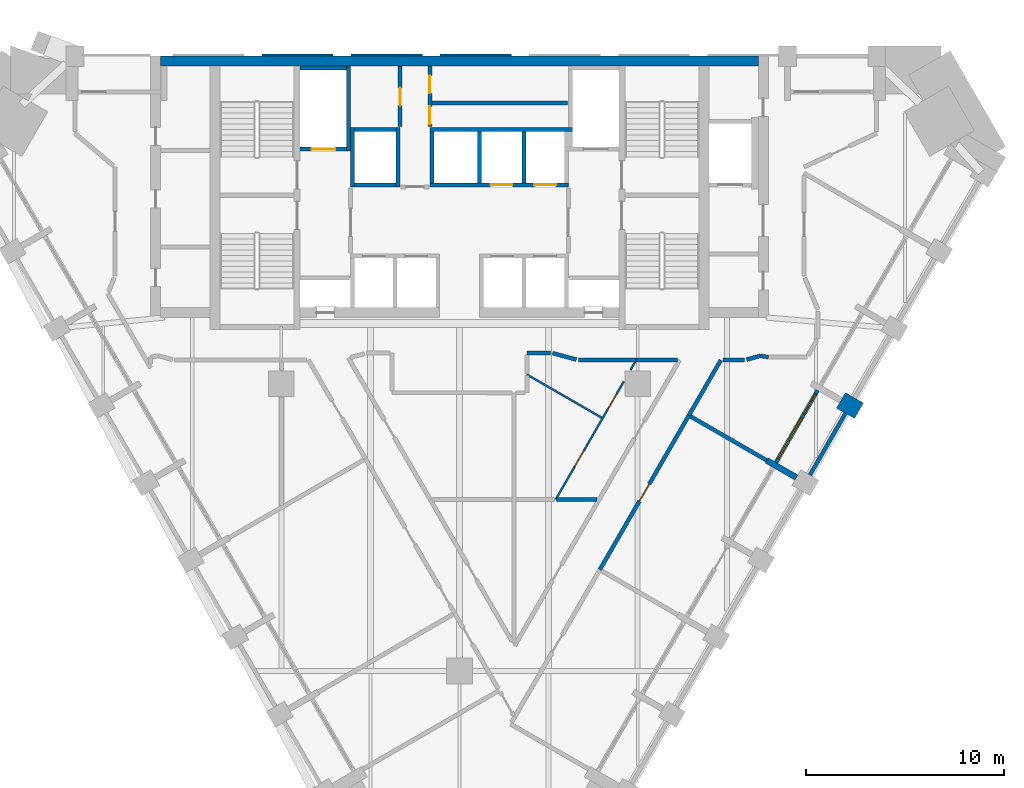
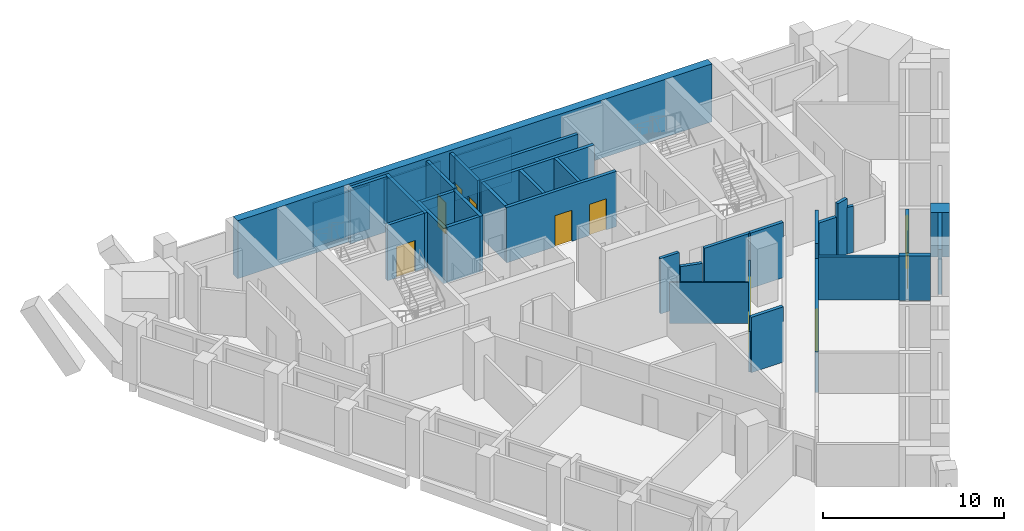
# One storey, part 6 of 10: 37 walls, 10 doors, 1 window, 11 openings.
"""IFC4 building model written with IfcOpenShell, lengths in metres."""

from ifc_helpers import new_model, si_unit, direction, frame, frame_2d, origin, place, context, subcontext, project, spatial, polyline, rectangle, outline, extrude, material, layer, layer_set, type_object, element, fill, save


model = new_model("IFC4")

# Units and contexts
model_context = context("Model", 3, precision=1e-05, world=origin(), true_north=direction((0.0, 1.0)))
body_context = subcontext(model_context, "Body", "Model", "MODEL_VIEW")
ifc_project = project(units=[si_unit("LENGTHUNIT", "METRE"), si_unit("AREAUNIT", "SQUARE_METRE"), si_unit("VOLUMEUNIT", "CUBIC_METRE"), si_unit("PLANEANGLEUNIT", "RADIAN"), si_unit("MASSUNIT", "GRAM", prefix="KILO")], contexts=[model_context])

# Site, building, storey
site_placement = place(None, origin())
site = spatial("IfcSite", under=ifc_project, at=site_placement, CompositionType="ELEMENT")
building_placement = place(site_placement, origin())
building = spatial("IfcBuilding", under=site, at=building_placement, Name="Calabash Gate Tower", CompositionType="ELEMENT")
storey_placement = place(building_placement, frame((0.0, 0.0, 183.60009765625)))
storey = spatial("IfcBuildingStorey", under=building, at=storey_placement, Name="L43", CompositionType="ELEMENT", Elevation=183.60009765625)

# Walls
ifc_material_1 = material(Name="Terracotta brick masonry, exposed face", Category="masonry")
ifc_layer_1 = layer(ifc_material_1, 1.050048828125)
ifc_layer_set_1 = layer_set([ifc_layer_1], Name="Brick end wall 1050")
wall_type_1 = type_object("IfcWallType", Name="Brick end wall 1050", PredefinedType="SOLIDWALL", material=ifc_layer_set_1)
wall_1_placement = place(storey_placement, frame((19.26708984375, 1.665771484375, 0.0), z_axis=(0.0, 0.0, 1.0), x_axis=(0.866030680601, -0.499990860175, 0.0)))
element("IfcWall", 1, at=wall_1_placement, inside=storey, type_object=wall_type_1, Name="Brick pier S12 SE4.5", PredefinedType="SOLIDWALL", context=body_context, shape_type="SweptSolid", body=[
    extrude(rectangle(XDim=1.0498046875, YDim=0.89990234375, at=frame_2d((0.52490234375, 0.0))), origin(), (0.0, 0.0, 1.0), 3.0),
])
ifc_material_2 = material(Name="Terracotta brick masonry, exposed face", Category="masonry")
ifc_layer_2 = layer(ifc_material_2, 0.300048828125)
ifc_layer_set_2 = layer_set([ifc_layer_2], Name="Brick loggia cheek wall 300")
wall_type_2 = type_object("IfcWallType", Name="Brick loggia cheek wall 300", PredefinedType="SOLIDWALL", material=ifc_layer_set_2)
wall_2_placement = place(storey_placement, frame((15.523193359375, -1.368896484375, 0.0), z_axis=(0.0, 0.0, 1.0), x_axis=(0.866074815912, -0.499914405916, 0.0)))
element("IfcWall", 2, at=wall_2_placement, inside=storey, type_object=wall_type_2, Name="Loggia cheek S12 SE4.4", PredefinedType="SOLIDWALL", context=body_context, shape_type="SweptSolid", body=[
    extrude(rectangle(XDim=1.724853515625, YDim=0.300048828125, at=frame_2d((0.8623046875, 0.0))), origin(), (0.0, 0.0, 1.0), 3.0),
])
ifc_material_3 = material(Name="Concrete C70/85", Category="concrete")
ifc_layer_3 = layer(ifc_material_3, 0.5)
ifc_layer_set_3 = layer_set([ifc_layer_3], Name="Core wall 500 Concrete C70/85")
wall_type_3 = type_object("IfcWallType", Name="Core wall 500 Concrete C70/85", PredefinedType="SHEAR", material=ifc_layer_set_3)
wall_3_placement = place(storey_placement, frame((-15.10009765625, 18.802490234375, 0.0), z_axis=(0.0, 0.0, 1.0), x_axis=(1.0, 0.0, 0.0)))
element("IfcWall", 3, at=wall_3_placement, inside=storey, type_object=wall_type_3, Name="Core wall Z3-N L43", PredefinedType="SHEAR", context=body_context, shape_type="SweptSolid", body=[
    extrude(rectangle(XDim=30.2001953125, YDim=0.5, at=frame_2d((15.10009765625, 0.0))), origin(), (0.0, 0.0, 1.0), 3.89990234375),
])

# Wall, openings, doors
ifc_material_4 = material(Name="Gypsum board on steel studs, mineral wool", Category="steel")
ifc_layer_4 = layer(ifc_material_4, 0.10009765625)
ifc_layer_set_4 = layer_set([ifc_layer_4], Name="Partition 100 gypsum board")
wall_type_4 = type_object("IfcWallType", Name="Partition 100 gypsum board", PredefinedType="PARTITIONING", material=ifc_layer_set_4)
wall_4_placement = place(storey_placement, frame((4.85693359375, -3.339599609375, 0.0), z_axis=(0.0, 0.0, 1.0), x_axis=(0.499969101261, 0.866043242445, 0.0)))
wall_4 = element("IfcWall", 4, at=wall_4_placement, inside=storey, type_object=wall_type_4, Name="Partition", PredefinedType="PARTITIONING", context=body_context, shape_type="SweptSolid", body=[
    extrude(rectangle(XDim=6.88330078125, YDim=0.10009765625, at=frame_2d((3.441650390625, 0.0))), origin(), (0.0, 0.0, 1.0), 2.74169921875),
])
opening_1_placement = place(wall_4_placement, frame((1.91943359375, 0.0, 0.0)))
opening_1 = element("IfcOpeningElement", 5, at=opening_1_placement, cuts=wall_4, Name="Opening 42-44-015", PredefinedType="OPENING", context=body_context, shape_type="SweptSolid", body=[
    extrude(rectangle(XDim=0.89990234375, YDim=2.10009765625, at=frame_2d((0.449951171875, 1.050048828125))), frame((0.0, 0.06005859375, 0.0), z_axis=(0.0, -1.0, 0.0), x_axis=(1.0, 0.0, 0.0)), (0.0, 0.0, 1.0), 0.1201171875),
])
opening_2_placement = place(wall_4_placement, frame((5.283935546875, 0.0, 0.0)))
opening_2 = element("IfcOpeningElement", 6, at=opening_2_placement, cuts=wall_4, Name="Opening 42-44-016", PredefinedType="OPENING", context=body_context, shape_type="SweptSolid", body=[
    extrude(rectangle(XDim=0.89990234375, YDim=2.10009765625, at=frame_2d((0.449951171875, 1.050048828125))), frame((0.0, 0.06005859375, 0.0), z_axis=(0.0, -1.0, 0.0), x_axis=(1.0, 0.0, 0.0)), (0.0, 0.0, 1.0), 0.1201171875),
])
ifc_material_5 = material(Name="Painted timber door", Category="wood")
door_type_1 = type_object("IfcDoorType", Name="WD1 WC door 900x2100", OperationType="NOTDEFINED", PredefinedType="DOOR", material=ifc_material_5)
door_1_placement = place(opening_1_placement, origin())
door_1 = element("IfcDoor", 7, at=door_1_placement, inside=storey, type_object=door_type_1, Name="WC door", OperationType="SINGLE_SWING_LEFT", OverallHeight=2.10009765625, OverallWidth=0.89990234375, PredefinedType="DOOR", context=body_context, shape_type="SweptSolid", body=[
    extrude(rectangle(XDim=0.89990234375, YDim=2.10009765625, at=frame_2d((0.449951171875, 1.050048828125))), frame((0.0, 0.02490234375, 0.0), z_axis=(0.0, -1.0, 0.0), x_axis=(1.0, 0.0, 0.0)), (0.0, 0.0, 1.0), 0.050048828125),
])
fill(opening_1, door_1)
door_2_placement = place(opening_2_placement, origin())
door_2 = element("IfcDoor", 8, at=door_2_placement, inside=storey, type_object=door_type_1, Name="WC door", OperationType="SINGLE_SWING_RIGHT", OverallHeight=2.10009765625, OverallWidth=0.89990234375, PredefinedType="DOOR", context=body_context, shape_type="SweptSolid", body=[
    extrude(rectangle(XDim=0.89990234375, YDim=2.10009765625, at=frame_2d((0.449951171875, 1.050048828125))), frame((0.0, 0.02490234375, 0.0), z_axis=(0.0, -1.0, 0.0), x_axis=(1.0, 0.0, 0.0)), (0.0, 0.0, 1.0), 0.050048828125),
])
fill(opening_2, door_2)

# Walls
wall_5_placement = place(storey_placement, frame((3.400390625, 2.974609375, 0.0), z_axis=(0.0, 0.0, 1.0), x_axis=(0.866040401994, -0.49997402144, 0.0)))
element("IfcWall", 9, at=wall_5_placement, inside=storey, type_object=wall_type_4, Name="Partition", PredefinedType="PARTITIONING", context=body_context, shape_type="SweptSolid", body=[
    extrude(rectangle(XDim=4.368408203125, YDim=0.10009765625, at=frame_2d((2.18408203125, 0.0))), origin(), (0.0, 0.0, 1.0), 2.74169921875),
])
wall_6_placement = place(storey_placement, frame((8.634521484375, 3.199951171875, 0.0), z_axis=(0.0, 0.0, 1.0), x_axis=(0.496967188395, 0.867769332057, 0.0)))
element("IfcWall", 10, at=wall_6_placement, inside=storey, type_object=wall_type_4, Name="Partition", PredefinedType="PARTITIONING", context=body_context, shape_type="SweptSolid", body=[
    extrude(rectangle(XDim=0.47607421875, YDim=0.10009765625, at=frame_2d((0.238037109375, 0.0))), origin(), (0.0, 0.0, 1.0), 3.72998046875),
])
ifc_material_6 = material(Name="Gypsum board on steel studs, mineral wool", Category="steel")
ifc_layer_5 = layer(ifc_material_6, 0.199951171875)
ifc_layer_set_5 = layer_set([ifc_layer_5], Name="Partition 200 gypsum board EI 60")
wall_type_5 = type_object("IfcWallType", Name="Partition 200 gypsum board EI 60", PredefinedType="PARTITIONING", material=ifc_layer_set_5)
wall_7_placement = place(storey_placement, frame((4.908935546875, -3.33984375, 0.0), z_axis=(0.0, 0.0, 1.0), x_axis=(0.99999974282, 0.000717188436, 0.0)))
element("IfcWall", 11, at=wall_7_placement, inside=storey, type_object=wall_type_5, Name="Partition", PredefinedType="PARTITIONING", context=body_context, shape_type="SweptSolid", body=[
    extrude(rectangle(XDim=2.04248046875, YDim=0.199951171875, at=frame_2d((1.021240234375, 0.0))), origin(), (0.0, 0.0, 1.0), 3.72998046875),
])
wall_8_placement = place(storey_placement, frame((11.670654296875, 0.857666015625, 0.0), z_axis=(0.0, 0.0, 1.0), x_axis=(0.865862960607, -0.500281254345, 0.0)))
element("IfcWall", 12, at=wall_8_placement, inside=storey, type_object=wall_type_5, Name="Partition", PredefinedType="PARTITIONING", context=body_context, shape_type="SweptSolid", body=[
    extrude(rectangle(XDim=4.44970703125, YDim=0.199951171875, at=frame_2d((2.224853515625, 0.0))), origin(), (0.0, 0.0, 1.0), 2.884033203125),
])

# Wall, opening, door
wall_9_placement = place(storey_placement, frame((7.084716796875, -6.888916015625, 0.0), z_axis=(0.0, 0.0, 1.0), x_axis=(0.499981539608, 0.866036061634, 0.0)))
wall_9 = element("IfcWall", 13, at=wall_9_placement, inside=storey, type_object=wall_type_5, Name="Partition", PredefinedType="PARTITIONING", context=body_context, shape_type="SweptSolid", body=[
    extrude(rectangle(XDim=8.999755859375, YDim=0.199951171875, at=frame_2d((4.5, 0.0))), origin(), (0.0, 0.0, 1.0), 2.74169921875),
])
opening_3_placement = place(wall_9_placement, frame((4.0, 0.0, 0.0)))
opening_3 = element("IfcOpeningElement", 14, at=opening_3_placement, cuts=wall_9, Name="Opening 42-44-005", PredefinedType="OPENING", context=body_context, shape_type="SweptSolid", body=[
    extrude(rectangle(XDim=1.0, YDim=2.10009765625, at=frame_2d((0.5, 1.050048828125))), frame((0.0, 0.10986328125, 0.0), z_axis=(0.0, -1.0, 0.0), x_axis=(1.0, 0.0, 0.0)), (0.0, 0.0, 1.0), 0.219970703125),
])
ifc_material_7 = material(Name="Steel fire door set with fire-resisting glazing", Category="steel")
door_type_2 = type_object("IfcDoorType", Name="LD2 Meeting room door 1000x2100", OperationType="NOTDEFINED", PredefinedType="DOOR", material=ifc_material_7)
door_3_placement = place(opening_3_placement, origin())
door_3 = element("IfcDoor", 15, at=door_3_placement, inside=storey, type_object=door_type_2, Name="Meeting room door", OperationType="SINGLE_SWING_LEFT", OverallHeight=2.10009765625, OverallWidth=1.0, PredefinedType="DOOR", context=body_context, shape_type="SweptSolid", body=[
    extrude(rectangle(XDim=1.0, YDim=2.10009765625, at=frame_2d((0.5, 1.050048828125))), frame((0.0, 0.02490234375, 0.0), z_axis=(0.0, -1.0, 0.0), x_axis=(1.0, 0.0, 0.0)), (0.0, 0.0, 1.0), 0.050048828125),
])
fill(opening_3, door_3)

# Walls
wall_10_placement = place(storey_placement, frame((6.0, 3.69970703125, 0.0), z_axis=(0.0, 0.0, 1.0), x_axis=(0.99999982895, -0.000584892948, 0.0)))
element("IfcWall", 16, at=wall_10_placement, inside=storey, type_object=wall_type_5, Name="Partition", PredefinedType="PARTITIONING", context=body_context, shape_type="SweptSolid", body=[
    extrude(rectangle(XDim=2.921875, YDim=0.199951171875, at=frame_2d((1.4609375, 0.0))), origin(), (0.0, 0.0, 1.0), 3.72998046875),
])
wall_11_placement = place(storey_placement, frame((8.922119140625, 3.697998046875, 0.0), z_axis=(0.0, 0.0, 1.0), x_axis=(0.999999667194, 0.000815850544, 0.0)))
element("IfcWall", 17, at=wall_11_placement, inside=storey, type_object=wall_type_5, Name="Partition", PredefinedType="PARTITIONING", context=body_context, shape_type="SweptSolid", body=[
    extrude(rectangle(XDim=2.0947265625, YDim=0.199951171875, at=frame_2d((1.04736328125, 0.0))), origin(), (0.0, 0.0, 1.0), 3.72998046875),
])
wall_12_placement = place(storey_placement, frame((11.584716796875, 0.905517578125, 0.0), z_axis=(0.0, 0.0, 1.0), x_axis=(0.499591387573, 0.866261187785, 0.0)))
element("IfcWall", 18, at=wall_12_placement, inside=storey, type_object=wall_type_5, Name="Partition", PredefinedType="PARTITIONING", context=body_context, shape_type="SweptSolid", body=[
    extrude(rectangle(XDim=3.225341796875, YDim=0.199951171875, at=frame_2d((1.61279296875, 0.0))), origin(), (0.0, 0.0, 1.0), 3.72998046875),
])
wall_13_placement = place(storey_placement, frame((13.2958984375, 3.699462890625, 0.0), z_axis=(0.0, 0.0, 1.0), x_axis=(1.0, 0.0, 0.0)))
element("IfcWall", 19, at=wall_13_placement, inside=storey, type_object=wall_type_5, Name="Partition", PredefinedType="PARTITIONING", context=body_context, shape_type="SweptSolid", body=[
    extrude(rectangle(XDim=1.10400390625, YDim=0.199951171875, at=frame_2d((0.552001953125, 0.0))), origin(), (0.0, 0.0, 1.0), 2.884033203125),
])
wall_14_placement = place(storey_placement, frame((4.699951171875, 4.052490234375, 0.0), z_axis=(0.0, 0.0, 1.0), x_axis=(0.965137813174, -0.26174224264, 0.0)))
element("IfcWall", 20, at=wall_14_placement, inside=storey, type_object=wall_type_5, Name="Partition", PredefinedType="PARTITIONING", context=body_context, shape_type="SweptSolid", body=[
    extrude(rectangle(XDim=1.2470703125, YDim=0.199951171875, at=frame_2d((0.62353515625, 0.0))), origin(), (0.0, 0.0, 1.0), 2.74169921875),
])
wall_15_placement = place(storey_placement, frame((15.193359375, 3.91455078125, 0.0), z_axis=(0.0, 0.0, 1.0), x_axis=(0.988399116328, -0.15187885581, 0.0)))
element("IfcWall", 21, at=wall_15_placement, inside=storey, type_object=wall_type_5, Name="Partition", PredefinedType="PARTITIONING", context=body_context, shape_type="SweptSolid", body=[
    extrude(rectangle(XDim=0.41162109375, YDim=0.199951171875, at=frame_2d((0.205810546875, 0.0))), origin(), (0.0, 0.0, 1.0), 3.1279296875),
])
wall_16_placement = place(storey_placement, frame((14.49658203125, 3.7255859375, 0.0), z_axis=(0.0, 0.0, 1.0), x_axis=(0.965137431954, 0.26174364833, 0.0)))
element("IfcWall", 22, at=wall_16_placement, inside=storey, type_object=wall_type_5, Name="Partition", PredefinedType="PARTITIONING", context=body_context, shape_type="SweptSolid", body=[
    extrude(rectangle(XDim=0.721923828125, YDim=0.199951171875, at=frame_2d((0.36083984375, 0.0))), origin(), (0.0, 0.0, 1.0), 3.72998046875),
])
wall_17_placement = place(storey_placement, frame((3.402099609375, 4.050537109375, 0.0), z_axis=(0.0, 0.0, 1.0), x_axis=(0.999998982503, 0.001426532072, 0.0)))
element("IfcWall", 23, at=wall_17_placement, inside=storey, type_object=wall_type_5, Name="Partition", PredefinedType="PARTITIONING", context=body_context, shape_type="SweptSolid", body=[
    extrude(rectangle(XDim=1.197998046875, YDim=0.199951171875, at=frame_2d((0.59912109375, 0.0))), origin(), (0.0, 0.0, 1.0), 3.72998046875),
])
ifc_material_8 = material(Name="Concrete C40/50", Category="concrete")
ifc_layer_6 = layer(ifc_material_8, 0.199951171875)
ifc_layer_set_6 = layer_set([ifc_layer_6], Name="Shaft wall 200 Concrete C40/50")
wall_type_6 = type_object("IfcWallType", Name="Shaft wall 200 Concrete C40/50", PredefinedType="SOLIDWALL", material=ifc_layer_set_6)
wall_18_placement = place(storey_placement, frame((-5.39990234375, 12.45263671875, 0.0), z_axis=(0.0, 0.0, 1.0), x_axis=(0.0, 1.0, 0.0)))
element("IfcWall", 24, at=wall_18_placement, inside=storey, type_object=wall_type_6, Name="Shaft wall", PredefinedType="SOLIDWALL", context=body_context, shape_type="SweptSolid", body=[
    extrude(rectangle(XDim=3.0, YDim=0.199951171875, at=frame_2d((1.5, 0.0))), origin(), (0.0, 0.0, 1.0), 3.72998046875),
])
wall_19_placement = place(storey_placement, frame((-5.300048828125, 12.552490234375, 0.0), z_axis=(0.0, 0.0, 1.0), x_axis=(1.0, 0.0, 0.0)))
element("IfcWall", 25, at=wall_19_placement, inside=storey, type_object=wall_type_6, Name="Shaft wall", PredefinedType="SOLIDWALL", context=body_context, shape_type="SweptSolid", body=[
    extrude(rectangle(XDim=2.10009765625, YDim=0.199951171875, at=frame_2d((1.050048828125, 0.0))), origin(), (0.0, 0.0, 1.0), 3.72998046875),
])
wall_20_placement = place(storey_placement, frame((-3.10009765625, 12.45263671875, 0.0), z_axis=(0.0, 0.0, 1.0), x_axis=(0.0, 1.0, 0.0)))
element("IfcWall", 26, at=wall_20_placement, inside=storey, type_object=wall_type_6, Name="Shaft wall", PredefinedType="SOLIDWALL", context=body_context, shape_type="SweptSolid", body=[
    extrude(rectangle(XDim=3.0, YDim=0.199951171875, at=frame_2d((1.5, 0.0))), origin(), (0.0, 0.0, 1.0), 3.72998046875),
])

# Wall, openings, doors
wall_21_placement = place(storey_placement, frame((-1.5, 12.552490234375, 0.0), z_axis=(0.0, 0.0, 1.0), x_axis=(1.0, 0.0, 0.0)))
wall_21 = element("IfcWall", 27, at=wall_21_placement, inside=storey, type_object=wall_type_6, Name="Shaft wall", PredefinedType="SOLIDWALL", context=body_context, shape_type="SweptSolid", body=[
    extrude(rectangle(XDim=7.0, YDim=0.199951171875, at=frame_2d((3.5, 0.0))), origin(), (0.0, 0.0, 1.0), 3.72998046875),
])
opening_4_placement = place(wall_21_placement, frame((3.074951171875, 0.0, 0.0)))
opening_4 = element("IfcOpeningElement", 28, at=opening_4_placement, cuts=wall_21, Name="Opening LD-HR5", PredefinedType="OPENING", context=body_context, shape_type="SweptSolid", body=[
    extrude(rectangle(XDim=1.10009765625, YDim=2.10009765625, at=frame_2d((0.550048828125, 1.050048828125))), frame((0.0, 0.10986328125, 0.0), z_axis=(0.0, -1.0, 0.0), x_axis=(1.0, 0.0, 0.0)), (0.0, 0.0, 1.0), 0.219970703125),
])
opening_5_placement = place(wall_21_placement, frame((5.27490234375, 0.0, 0.0)))
opening_5 = element("IfcOpeningElement", 29, at=opening_5_placement, cuts=wall_21, Name="Opening LD-HR6", PredefinedType="OPENING", context=body_context, shape_type="SweptSolid", body=[
    extrude(rectangle(XDim=1.10009765625, YDim=2.10009765625, at=frame_2d((0.550048828125, 1.050048828125))), frame((0.0, 0.10986328125, 0.0), z_axis=(0.0, -1.0, 0.0), x_axis=(1.0, 0.0, 0.0)), (0.0, 0.0, 1.0), 0.219970703125),
])
ifc_material_9 = material(Name="Stainless steel sliding door leaves", Category="steel")
door_type_3 = type_object("IfcDoorType", Name="Lift landing door LS1 1100x2100 FD90", OperationType="DOUBLE_DOOR_SLIDING", PredefinedType="DOOR", material=ifc_material_9)
door_4_placement = place(opening_4_placement, origin())
door_4 = element("IfcDoor", 30, at=door_4_placement, inside=storey, type_object=door_type_3, Name="Lift landing door HR5", OperationType="DOUBLE_DOOR_SLIDING", OverallHeight=2.10009765625, OverallWidth=1.10009765625, PredefinedType="DOOR", context=body_context, shape_type="SweptSolid", body=[
    extrude(rectangle(XDim=1.10009765625, YDim=2.10009765625, at=frame_2d((0.550048828125, 1.050048828125))), frame((0.0, 0.02490234375, 0.0), z_axis=(0.0, -1.0, 0.0), x_axis=(1.0, 0.0, 0.0)), (0.0, 0.0, 1.0), 0.050048828125),
])
fill(opening_4, door_4)
door_5_placement = place(opening_5_placement, origin())
door_5 = element("IfcDoor", 31, at=door_5_placement, inside=storey, type_object=door_type_3, Name="Lift landing door HR6", OperationType="DOUBLE_DOOR_SLIDING", OverallHeight=2.10009765625, OverallWidth=1.10009765625, PredefinedType="DOOR", context=body_context, shape_type="SweptSolid", body=[
    extrude(rectangle(XDim=1.10009765625, YDim=2.10009765625, at=frame_2d((0.550048828125, 1.050048828125))), frame((0.0, 0.02490234375, 0.0), z_axis=(0.0, -1.0, 0.0), x_axis=(1.0, 0.0, 0.0)), (0.0, 0.0, 1.0), 0.050048828125),
])
fill(opening_5, door_5)

# Walls
for number, where, z_axis, x_axis, name in (
    (32, (-1.39990234375, 12.652587890625, 0.0), (0.0, 0.0, 1.0), (0.0, 1.0, 0.0), "Shaft wall"),
    (33, (1.0, 12.652587890625, 0.0), (0.0, 0.0, 1.0), (0.0, 1.0, 0.0), "Shaft wall"),
    (34, (3.25, 12.652587890625, 0.0), (0.0, 0.0, 1.0), (0.0, 1.0, 0.0), "Shaft wall"),
):
    element("IfcWall", number, at=place(storey_placement, frame(where, z_axis=z_axis, x_axis=x_axis)), inside=storey, type_object=wall_type_6, Name=name, PredefinedType="SOLIDWALL", context=body_context, shape_type="SweptSolid", body=[
        extrude(rectangle(XDim=2.60009765625, YDim=0.199951171875, at=frame_2d((1.300048828125, 0.0))), origin(), (0.0, 0.0, 1.0), 3.72998046875),
    ])

# Wall, opening, door
wall_22_placement = place(storey_placement, frame((-8.050048828125, 14.3525390625, 0.0), z_axis=(0.0, 0.0, 1.0), x_axis=(1.0, 0.0, 0.0)))
wall_22 = element("IfcWall", 35, at=wall_22_placement, inside=storey, type_object=wall_type_6, Name="Shaft wall", PredefinedType="SOLIDWALL", context=body_context, shape_type="SweptSolid", body=[
    extrude(rectangle(XDim=2.35009765625, YDim=0.199951171875, at=frame_2d((1.175048828125, 0.0))), origin(), (0.0, 0.0, 1.0), 3.72998046875),
])
opening_6_placement = place(wall_22_placement, frame((0.574951171875, 0.0, 0.0)))
opening_6 = element("IfcOpeningElement", 36, at=opening_6_placement, cuts=wall_22, Name="Opening LD-FF1", PredefinedType="OPENING", context=body_context, shape_type="SweptSolid", body=[
    extrude(rectangle(XDim=1.199951171875, YDim=2.10009765625, at=frame_2d((0.60009765625, 1.050048828125))), frame((0.0, 0.10986328125, 0.0), z_axis=(0.0, -1.0, 0.0), x_axis=(1.0, 0.0, 0.0)), (0.0, 0.0, 1.0), 0.219970703125),
])
ifc_material_10 = material(Name="Stainless steel sliding door leaves", Category="steel")
door_type_4 = type_object("IfcDoorType", Name="Lift landing door LS3 1200x2100 FD90", OperationType="DOUBLE_DOOR_SLIDING", PredefinedType="DOOR", material=ifc_material_10)
door_6_placement = place(opening_6_placement, origin())
door_6 = element("IfcDoor", 37, at=door_6_placement, inside=storey, type_object=door_type_4, Name="Lift landing door FF1", OperationType="DOUBLE_DOOR_SLIDING", OverallHeight=2.10009765625, OverallWidth=1.199951171875, PredefinedType="DOOR", context=body_context, shape_type="SweptSolid", body=[
    extrude(rectangle(XDim=1.199951171875, YDim=2.10009765625, at=frame_2d((0.60009765625, 1.050048828125))), frame((0.0, 0.02490234375, 0.0), z_axis=(0.0, -1.0, 0.0), x_axis=(1.0, 0.0, 0.0)), (0.0, 0.0, 1.0), 0.050048828125),
])
fill(opening_6, door_6)

# Walls
wall_23_placement = place(storey_placement, frame((-5.60009765625, 14.252685546875, 0.0), z_axis=(0.0, 0.0, 1.0), x_axis=(0.0, 1.0, 0.0)))
element("IfcWall", 38, at=wall_23_placement, inside=storey, type_object=wall_type_6, Name="Shaft wall", PredefinedType="SOLIDWALL", context=body_context, shape_type="SweptSolid", body=[
    extrude(rectangle(XDim=4.2998046875, YDim=0.199951171875, at=frame_2d((2.14990234375, 0.0))), origin(), (0.0, 0.0, 1.0), 3.72998046875),
])
wall_24_placement = place(storey_placement, frame((-5.300048828125, 15.3525390625, 0.0), z_axis=(0.0, 0.0, 1.0), x_axis=(1.0, 0.0, 0.0)))
element("IfcWall", 39, at=wall_24_placement, inside=storey, type_object=wall_type_6, Name="Shaft wall", PredefinedType="SOLIDWALL", context=body_context, shape_type="SweptSolid", body=[
    extrude(rectangle(XDim=2.10009765625, YDim=0.199951171875, at=frame_2d((1.050048828125, 0.0))), origin(), (0.0, 0.0, 1.0), 3.72998046875),
])
wall_25_placement = place(storey_placement, frame((-1.5, 15.3525390625, 0.0), z_axis=(0.0, 0.0, 1.0), x_axis=(1.0, 0.0, 0.0)))
element("IfcWall", 40, at=wall_25_placement, inside=storey, type_object=wall_type_6, Name="Shaft wall", PredefinedType="SOLIDWALL", context=body_context, shape_type="SweptSolid", body=[
    extrude(rectangle(XDim=7.199951171875, YDim=0.199951171875, at=frame_2d((3.60009765625, 0.0))), origin(), (0.0, 0.0, 1.0), 3.72998046875),
])

# Wall, opening, door
wall_26_placement = place(storey_placement, frame((-3.0, 15.502685546875, 0.0), z_axis=(0.0, 0.0, 1.0), x_axis=(0.0, 1.0, 0.0)))
wall_26 = element("IfcWall", 41, at=wall_26_placement, inside=storey, type_object=wall_type_6, Name="Shaft wall", PredefinedType="SOLIDWALL", context=body_context, shape_type="SweptSolid", body=[
    extrude(rectangle(XDim=3.0498046875, YDim=0.199951171875, at=frame_2d((1.52490234375, 0.0))), origin(), (0.0, 0.0, 1.0), 3.72998046875),
])
opening_7_placement = place(wall_26_placement, frame((1.050048828125, 0.0, 0.0)))
opening_7 = element("IfcOpeningElement", 42, at=opening_7_placement, cuts=wall_26, Name="Opening O4-010", PredefinedType="OPENING", context=body_context, shape_type="SweptSolid", body=[
    extrude(rectangle(XDim=0.89990234375, YDim=2.10009765625, at=frame_2d((0.449951171875, 1.050048828125))), frame((0.0, 0.10986328125, 0.0), z_axis=(0.0, -1.0, 0.0), x_axis=(1.0, 0.0, 0.0)), (0.0, 0.0, 1.0), 0.219970703125),
])
ifc_material_11 = material(Name="Steel fire door set with fire-resisting glazing", Category="steel")
door_type_5 = type_object("IfcDoorType", Name="Fire door D06 900x2100 FD60", OperationType="NOTDEFINED", PredefinedType="DOOR", material=ifc_material_11)
door_7_placement = place(opening_7_placement, origin())
door_7 = element("IfcDoor", 43, at=door_7_placement, inside=storey, type_object=door_type_5, Name="Accessible WC door", OperationType="SINGLE_SWING_LEFT", OverallHeight=2.10009765625, OverallWidth=0.89990234375, PredefinedType="DOOR", context=body_context, shape_type="SweptSolid", body=[
    extrude(rectangle(XDim=0.89990234375, YDim=2.10009765625, at=frame_2d((0.449951171875, 1.050048828125))), frame((0.0, 0.02490234375, 0.0), z_axis=(0.0, -1.0, 0.0), x_axis=(1.0, 0.0, 0.0)), (0.0, 0.0, 1.0), 0.050048828125),
])
fill(opening_7, door_7)

# Wall, openings, doors
wall_27_placement = place(storey_placement, frame((-1.5, 15.502685546875, 0.0), z_axis=(0.0, 0.0, 1.0), x_axis=(0.0, 1.0, 0.0)))
wall_27 = element("IfcWall", 44, at=wall_27_placement, inside=storey, type_object=wall_type_6, Name="Shaft wall", PredefinedType="SOLIDWALL", context=body_context, shape_type="SweptSolid", body=[
    extrude(rectangle(XDim=3.0498046875, YDim=0.199951171875, at=frame_2d((1.52490234375, 0.0))), origin(), (0.0, 0.0, 1.0), 3.72998046875),
])
opening_8_placement = place(wall_27_placement, frame((0.1201171875, 0.0, 0.0)))
opening_8 = element("IfcOpeningElement", 45, at=opening_8_placement, cuts=wall_27, Name="Opening O4-011", PredefinedType="OPENING", context=body_context, shape_type="SweptSolid", body=[
    extrude(rectangle(XDim=0.89990234375, YDim=2.10009765625, at=frame_2d((0.449951171875, 1.050048828125))), frame((0.0, 0.10986328125, 0.0), z_axis=(0.0, -1.0, 0.0), x_axis=(1.0, 0.0, 0.0)), (0.0, 0.0, 1.0), 0.219970703125),
])
opening_9_placement = place(wall_27_placement, frame((1.669921875, 0.0, 0.0)))
opening_9 = element("IfcOpeningElement", 46, at=opening_9_placement, cuts=wall_27, Name="Opening O4-012", PredefinedType="OPENING", context=body_context, shape_type="SweptSolid", body=[
    extrude(rectangle(XDim=0.89990234375, YDim=2.10009765625, at=frame_2d((0.449951171875, 1.050048828125))), frame((0.0, 0.10986328125, 0.0), z_axis=(0.0, -1.0, 0.0), x_axis=(1.0, 0.0, 0.0)), (0.0, 0.0, 1.0), 0.219970703125),
])
door_8_placement = place(opening_8_placement, origin())
door_8 = element("IfcDoor", 47, at=door_8_placement, inside=storey, type_object=door_type_5, Name="Meter Room door", OperationType="SINGLE_SWING_LEFT", OverallHeight=2.10009765625, OverallWidth=0.89990234375, PredefinedType="DOOR", context=body_context, shape_type="SweptSolid", body=[
    extrude(rectangle(XDim=0.89990234375, YDim=2.10009765625, at=frame_2d((0.449951171875, 1.050048828125))), frame((0.0, 0.02490234375, 0.0), z_axis=(0.0, -1.0, 0.0), x_axis=(1.0, 0.0, 0.0)), (0.0, 0.0, 1.0), 0.050048828125),
])
fill(opening_8, door_8)
door_9_placement = place(opening_9_placement, origin())
door_9 = element("IfcDoor", 48, at=door_9_placement, inside=storey, type_object=door_type_5, Name="Cleaner's Store door", OperationType="SINGLE_SWING_LEFT", OverallHeight=2.10009765625, OverallWidth=0.89990234375, PredefinedType="DOOR", context=body_context, shape_type="SweptSolid", body=[
    extrude(rectangle(XDim=0.89990234375, YDim=2.10009765625, at=frame_2d((0.449951171875, 1.050048828125))), frame((0.0, 0.02490234375, 0.0), z_axis=(0.0, -1.0, 0.0), x_axis=(1.0, 0.0, 0.0)), (0.0, 0.0, 1.0), 0.050048828125),
])
fill(opening_9, door_9)

# Walls
wall_28_placement = place(storey_placement, frame((-1.39990234375, 16.692626953125, 0.0), z_axis=(0.0, 0.0, 1.0), x_axis=(1.0, 0.0, 0.0)))
element("IfcWall", 49, at=wall_28_placement, inside=storey, type_object=wall_type_6, Name="Shaft wall", PredefinedType="SOLIDWALL", context=body_context, shape_type="SweptSolid", body=[
    extrude(rectangle(XDim=6.849853515625, YDim=0.199951171875, at=frame_2d((3.4248046875, 0.0))), origin(), (0.0, 0.0, 1.0), 3.72998046875),
])
wall_29_placement = place(storey_placement, frame((-8.050048828125, 18.45263671875, 0.0), z_axis=(0.0, 0.0, 1.0), x_axis=(1.0, 0.0, 0.0)))
element("IfcWall", 50, at=wall_29_placement, inside=storey, type_object=wall_type_6, Name="Shaft wall", PredefinedType="SOLIDWALL", context=body_context, shape_type="SweptSolid", body=[
    extrude(rectangle(XDim=2.35009765625, YDim=0.199951171875, at=frame_2d((1.175048828125, 0.0))), origin(), (0.0, 0.0, 1.0), 3.72998046875),
])
ifc_material_12 = material(Name="Terracotta brick masonry, perforated", Category="masonry")
ifc_layer_7 = layer(ifc_material_12, 0.1201171875)
ifc_layer_set_7 = layer_set([ifc_layer_7], Name="Terracotta jaali cladding B 120")
wall_type_7 = type_object("IfcWallType", Name="Terracotta jaali cladding B 120", PredefinedType="SOLIDWALL", material=ifc_layer_set_7)
wall_30_placement = place(storey_placement, origin())
element("IfcWall", 51, at=wall_30_placement, inside=storey, type_object=wall_type_7, Name="Jaali cladding S12 N6.5", PredefinedType="SOLIDWALL", context=body_context, shape_type="SweptSolid", body=[
    extrude(outline(polyline([(-0.978271484375, 19.172607421875), (-0.978271484375, 19.052490234375), (2.621826171875, 19.052490234375), (2.621826171875, 19.172607421875), (-0.978271484375, 19.172607421875)])), origin(), (0.0, 0.0, 1.0), 3.0),
])
wall_31_placement = place(storey_placement, origin())
element("IfcWall", 52, at=wall_31_placement, inside=storey, type_object=wall_type_7, Name="Jaali cladding S12 N6.7", PredefinedType="SOLIDWALL", context=body_context, shape_type="SweptSolid", body=[
    extrude(outline(polyline([(-9.978271484375, 19.172607421875), (-9.978271484375, 19.052490234375), (-6.378173828125, 19.052490234375), (-6.378173828125, 19.172607421875), (-9.978271484375, 19.172607421875)])), origin(), (0.0, 0.0, 1.0), 3.0),
])
ifc_material_13 = material(Name="Terracotta brick masonry, perforated", Category="masonry")
ifc_layer_8 = layer(ifc_material_13, 0.199951171875)
ifc_layer_set_8 = layer_set([ifc_layer_8], Name="Terracotta jaali screen B")
wall_type_8 = type_object("IfcWallType", Name="Terracotta jaali screen B", PredefinedType="SOLIDWALL", material=ifc_layer_set_8)
wall_32_placement = place(storey_placement, frame((17.69677734375, -2.10400390625, 0.0), z_axis=(0.0, 0.0, 1.0), x_axis=(0.499961193289, 0.866047807691, 0.0)))
element("IfcWall", 53, at=wall_32_placement, inside=storey, type_object=wall_type_8, Name="SCREEN B S12 SE4.5", PredefinedType="SOLIDWALL", context=body_context, shape_type="SweptSolid", body=[
    extrude(rectangle(XDim=3.599853515625, YDim=0.199951171875, at=frame_2d((1.7998046875, 0.0))), origin(), (0.0, 0.0, 1.0), 3.0),
])
ifc_material_14 = material(Name="Terracotta louvre blades in an aluminium frame", Category="masonry")
ifc_layer_9 = layer(ifc_material_14, 0.1201171875)
ifc_layer_set_9 = layer_set([ifc_layer_9], Name="Terracotta vent louvre cladding 120")
wall_type_9 = type_object("IfcWallType", Name="Terracotta vent louvre cladding 120", PredefinedType="ELEMENTEDWALL", material=ifc_layer_set_9)
wall_33_placement = place(storey_placement, origin())
element("IfcWall", 54, at=wall_33_placement, inside=storey, type_object=wall_type_9, Name="Vent louvre cladding S12 N6.6", PredefinedType="ELEMENTEDWALL", context=body_context, shape_type="SweptSolid", body=[
    extrude(outline(polyline([(-5.478271484375, 19.172607421875), (-5.478271484375, 19.052490234375), (-1.878173828125, 19.052490234375), (-1.878173828125, 19.172607421875), (-5.478271484375, 19.172607421875)])), origin(), (0.0, 0.0, 1.0), 3.0),
])

# Wall, openings, door, window
ifc_material_15 = material(Name="Aluminium framed window wall with insulated spandrel", Category="aluminium")
ifc_layer_10 = layer(ifc_material_15, 0.199951171875)
ifc_layer_set_10 = layer_set([ifc_layer_10], Name="Window wall 200")
wall_type_10 = type_object("IfcWallType", Name="Window wall 200", PredefinedType="ELEMENTEDWALL", material=ifc_layer_set_10)
wall_34_placement = place(storey_placement, frame((15.98779296875, -1.4638671875, 0.0), z_axis=(0.0, 0.0, 1.0), x_axis=(0.500027713859, 0.866009402589, 0.0)))
wall_34 = element("IfcWall", 55, at=wall_34_placement, inside=storey, type_object=wall_type_10, Name="Window wall S12 SE4.5", PredefinedType="ELEMENTEDWALL", context=body_context, shape_type="SweptSolid", body=[
    extrude(rectangle(XDim=4.199951171875, YDim=0.199951171875, at=frame_2d((2.10009765625, 0.0))), origin(), (0.0, 0.0, 1.0), 3.0),
])
opening_10_placement = place(wall_34_placement, frame((0.199951171875, 0.0, 0.449951171875)))
opening_10 = element("IfcOpeningElement", 56, at=opening_10_placement, cuts=wall_34, Name="Opening OW1", PredefinedType="OPENING", context=body_context, shape_type="SweptSolid", body=[
    extrude(rectangle(XDim=2.39990234375, YDim=2.25, at=frame_2d((1.199951171875, 1.125))), frame((0.0, 0.10986328125, 0.0), z_axis=(0.0, -1.0, 0.0), x_axis=(1.0, 0.0, 0.0)), (0.0, 0.0, 1.0), 0.219970703125),
])
opening_11_placement = place(wall_34_placement, frame((2.800048828125, 0.0, 0.0)))
opening_11 = element("IfcOpeningElement", 57, at=opening_11_placement, cuts=wall_34, Name="Opening O4-023", PredefinedType="OPENING", context=body_context, shape_type="SweptSolid", body=[
    extrude(rectangle(XDim=1.199951171875, YDim=2.699951171875, at=frame_2d((0.60009765625, 1.35009765625))), frame((0.0, 0.10986328125, 0.0), z_axis=(0.0, -1.0, 0.0), x_axis=(1.0, 0.0, 0.0)), (0.0, 0.0, 1.0), 0.219970703125),
])
ifc_material_16 = material(Name="Anodised aluminium frame, bronze finish, impact-rated laminated clear glazing", Category="aluminium")
door_type_6 = type_object("IfcDoorType", Name="Loggia door DO1 1200x2700", OperationType="SLIDING_TO_LEFT", PredefinedType="DOOR", material=ifc_material_16)
door_10_placement = place(opening_11_placement, origin())
door_10 = element("IfcDoor", 58, at=door_10_placement, inside=storey, type_object=door_type_6, Name="Loggia door S12 SE4.5", OperationType="SINGLE_SWING_LEFT", OverallHeight=2.699951171875, OverallWidth=1.199951171875, PredefinedType="DOOR", context=body_context, shape_type="SweptSolid", body=[
    extrude(rectangle(XDim=1.199951171875, YDim=2.699951171875, at=frame_2d((0.60009765625, 1.35009765625))), frame((0.0, 0.02490234375, 0.0), z_axis=(0.0, -1.0, 0.0), x_axis=(1.0, 0.0, 0.0)), (0.0, 0.0, 1.0), 0.050048828125),
])
fill(opening_11, door_10)
ifc_material_17 = material(Name="Anodised aluminium frame, bronze finish, impact-rated laminated clear glazing", Category="aluminium")
window_type = type_object("IfcWindowType", Name="Window OW1 2400x2250", PartitioningType="DOUBLE_PANEL_VERTICAL", PredefinedType="WINDOW", material=ifc_material_17)
window_placement = place(opening_10_placement, origin())
window = element("IfcWindow", 59, at=window_placement, inside=storey, type_object=window_type, Name="Window OW1 S12 SE4.5", OverallHeight=2.25, OverallWidth=2.39990234375, PartitioningType="SINGLE_PANEL", PredefinedType="WINDOW", context=body_context, shape_type="SweptSolid", body=[
    extrude(rectangle(XDim=2.39990234375, YDim=2.25, at=frame_2d((1.199951171875, 1.125))), frame((0.0, 0.030029296875, 0.0), z_axis=(0.0, -1.0, 0.0), x_axis=(1.0, 0.0, 0.0)), (0.0, 0.0, 1.0), 0.06005859375),
])
fill(opening_10, window)

save(model, "model.ifc")
